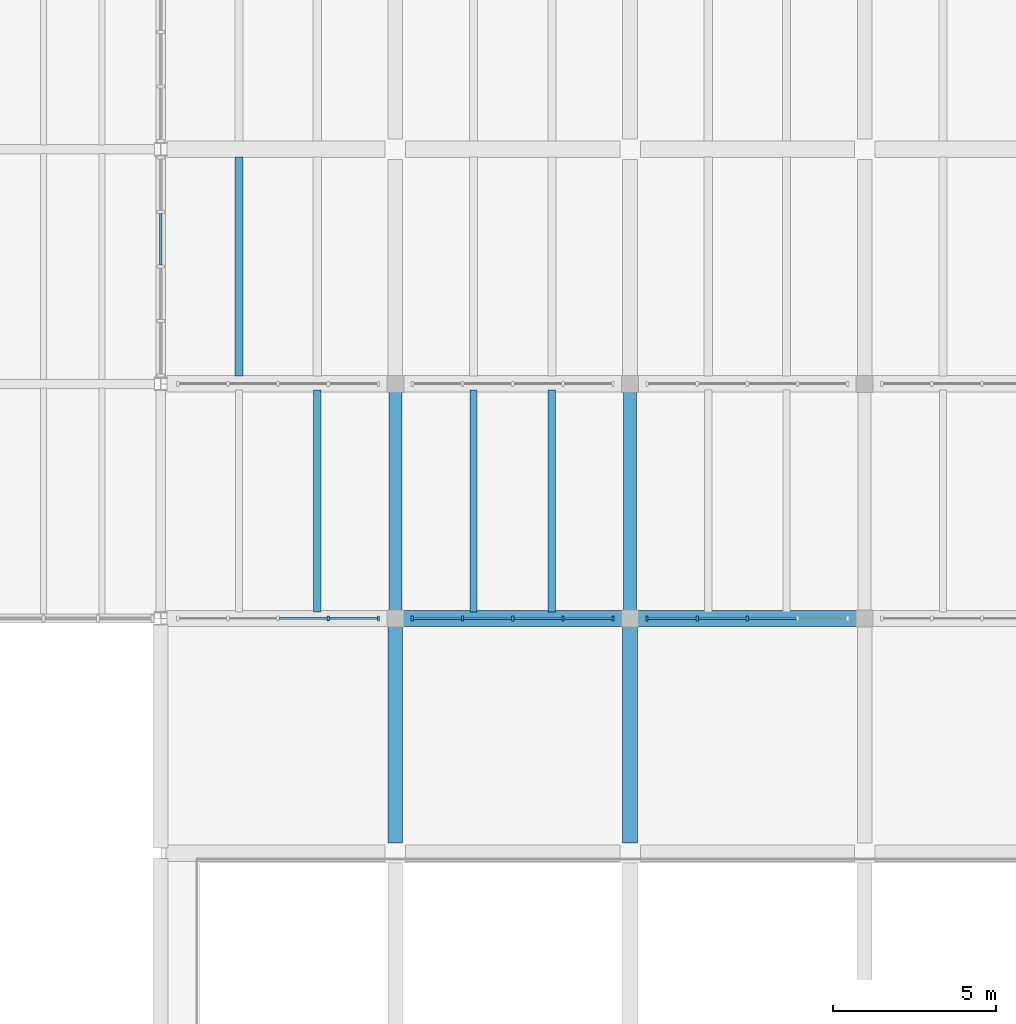
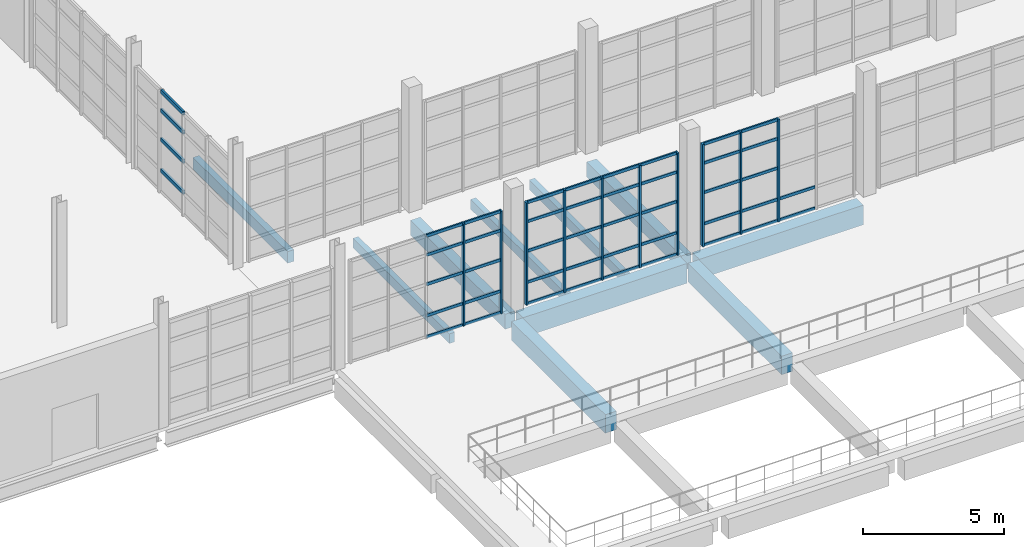
# One storey, part 28 of 79: 56 members, 10 beams, 4 elements without a shape of their own.
"""IFC4 building model written with IfcOpenShell, lengths in metres."""

from ifc_helpers import new_model, si_unit, direction, frame, origin, origin_2d, place, context, subcontext, project, spatial, rectangle, extrude, material, material_profile, profile_set, type_object, element, aggregate, save


model = new_model("IFC4")

# Units and contexts
model_context = context("Model", 3, precision=1e-05, world=origin(), true_north=direction((0.0, 1.0)))
body_context = subcontext(model_context, "Body", "Model", "MODEL_VIEW")
ifc_project = project(units=[si_unit("LENGTHUNIT", "METRE"), si_unit("AREAUNIT", "SQUARE_METRE"), si_unit("VOLUMEUNIT", "CUBIC_METRE"), si_unit("PLANEANGLEUNIT", "RADIAN"), si_unit("MASSUNIT", "GRAM", prefix="KILO")], contexts=[model_context])

# Site, building, storey
site_placement = place(None, origin())
site = spatial("IfcSite", under=ifc_project, at=site_placement, CompositionType="ELEMENT")
building_placement = place(site_placement, origin())
building = spatial("IfcBuilding", under=site, at=building_placement, Name="Qiaolan Assembly House", CompositionType="ELEMENT")
storey_placement = place(building_placement, origin())
storey = spatial("IfcBuildingStorey", under=building, at=storey_placement, Name="L00", CompositionType="ELEMENT", Elevation=0.0)

# Beams
ifc_material_1 = material(Name="Concrete C40/50", Category="concrete")
ifc_material_profile_1 = material_profile(ifc_material_1, rectangle(XDim=0.39990234375, YDim=0.64990234375, at=origin_2d()), Name="RCB 400x650")
ifc_profile_set_1 = profile_set([ifc_material_profile_1], Name="Concrete C40/50")
beam_type_1 = type_object("IfcBeamType", Name="BM-RC-400x650", PredefinedType="BEAM", material=ifc_profile_set_1)
for number, where, z_axis, x_axis, name in (
    (1, (115.199951171875, 36.25, -0.6650390625), (0.0, 1.0, 0.0), (-1.0, 0.0, 0.0), "GB-06 beam BMY-CLS-L00-01-00"),
    (2, (122.39990234375, 36.25, -0.6650390625), (0.0, 1.0, 0.0), (-1.0, 0.0, 0.0), "GB-06 beam BMY-CLS-L00-02-00"),
):
    element("IfcBeam", number, at=place(storey_placement, frame(where, z_axis=z_axis, x_axis=x_axis)), inside=storey, type_object=beam_type_1, Name=name, PredefinedType="BEAM", context=body_context, shape_type="SweptSolid", body=[
        extrude(rectangle(XDim=0.39990234375, YDim=0.64990234375, at=origin_2d()), origin(), (0.0, 0.0, 1.0), 6.699951171875),
    ])
ifc_material_profile_2 = material_profile(ifc_material_1, rectangle(XDim=0.449951171875, YDim=0.800048828125, at=origin_2d()), Name="RCB 450x800")
ifc_profile_set_2 = profile_set([ifc_material_profile_2], Name="Concrete C40/50")
beam_type_2 = type_object("IfcBeamType", Name="BM-RC-450x800", PredefinedType="BEAM", material=ifc_profile_set_2)
for number, where, z_axis, x_axis, name in (
    (3, (115.199951171875, 29.114990234375, -0.739990234375), (0.0, 1.0, 0.0), (-1.0, 0.0, 0.0), "GB-03 beam BMY-APR0-L00-01-01"),
    (4, (122.39990234375, 29.114990234375, -0.739990234375), (0.0, 1.0, 0.0), (-1.0, 0.0, 0.0), "GB-03 beam BMY-APR0-L00-02-01"),
):
    element("IfcBeam", number, at=place(storey_placement, frame(where, z_axis=z_axis, x_axis=x_axis)), inside=storey, type_object=beam_type_2, Name=name, PredefinedType="BEAM", context=body_context, shape_type="SweptSolid", body=[
        extrude(rectangle(XDim=0.449951171875, YDim=0.800048828125, at=origin_2d()), origin(), (0.0, 0.0, 1.0), 6.635009765625),
    ])
ifc_material_2 = material(Name="Concrete C45/55", Category="concrete")
ifc_material_profile_3 = material_profile(ifc_material_2, rectangle(XDim=0.5, YDim=0.85009765625, at=origin_2d()), Name="RCB 500x850")
ifc_profile_set_3 = profile_set([ifc_material_profile_3], Name="Concrete C45/55")
beam_type_3 = type_object("IfcBeamType", Name="BM-RC-500x850", PredefinedType="BEAM", material=ifc_profile_set_3)
beam_1_placement = place(storey_placement, frame((115.449951171875, 36.0, -0.764892578125), z_axis=(1.0, 0.0, 0.0), x_axis=(0.0, 1.0, 0.0)))
element("IfcBeam", 5, at=beam_1_placement, inside=storey, type_object=beam_type_3, Name="GB-02 beam BMX-APR0-L00-01-02", PredefinedType="BEAM", context=body_context, shape_type="SweptSolid", body=[
    extrude(rectangle(XDim=0.5, YDim=0.85009765625, at=origin_2d()), origin(), (0.0, 0.0, 1.0), 6.699951171875),
])
beam_2_placement = place(storey_placement, frame((122.64990234375, 36.0, -0.764892578125), z_axis=(1.0, 0.0, 0.0), x_axis=(0.0, 1.0, 0.0)))
element("IfcBeam", 6, at=beam_2_placement, inside=storey, type_object=beam_type_3, Name="GB-02 beam BMX-APR0-L00-02-02", PredefinedType="BEAM", context=body_context, shape_type="SweptSolid", body=[
    extrude(rectangle(XDim=0.5, YDim=0.85009765625, at=origin_2d()), origin(), (0.0, 0.0, 1.0), 6.7001953125),
])

# Curtain wall, members
ifc_material_3 = material(Name="Anodised bronze aluminium", Category="aluminium")
curtain_wall_type_1 = type_object("IfcCurtainWallType", Name="CW-CLOISTER-420", PredefinedType="NOTDEFINED", material=ifc_material_3)
curtain_wall_1_placement = place(storey_placement, origin())
curtain_wall_1 = element("IfcCurtainWall", 7, at=curtain_wall_1_placement, inside=storey, type_object=curtain_wall_type_1, Name="CW-05 South Cloister outer arcade L00-1", PredefinedType="NOTDEFINED")
ifc_material_profile_4 = material_profile(ifc_material_3, rectangle(XDim=0.070068359375, YDim=0.155029296875, at=origin_2d()), Name="MUL 70x155")
ifc_profile_set_4 = profile_set([ifc_material_profile_4], Name="Anodised bronze aluminium")
member_type_1 = type_object("IfcMemberType", Name="CW-CLOISTER-420-MUL", PredefinedType="MULLION", material=ifc_profile_set_4)
member_1_placement = place(storey_placement, frame((113.139892578125, 36.0, 0.0), z_axis=(0.0, 0.0, 1.0), x_axis=(1.0, 0.0, 0.0)))
member_1 = element("IfcMember", 8, at=member_1_placement, type_object=member_type_1, Name="ML-06 mullion CW-CLS-OUT-L00-0-4", PredefinedType="MULLION", context=body_context, shape_type="SweptSolid", body=[
    extrude(rectangle(XDim=0.070068359375, YDim=0.155029296875, at=origin_2d()), origin(), (0.0, 0.0, 1.0), 4.419921875),
])
member_2_placement = place(storey_placement, frame((114.679931640625, 36.0, 0.0), z_axis=(0.0, 0.0, 1.0), x_axis=(1.0, 0.0, 0.0)))
member_2 = element("IfcMember", 9, at=member_2_placement, type_object=member_type_1, Name="ML-06 mullion CW-CLS-OUT-L00-0-5", PredefinedType="MULLION", context=body_context, shape_type="SweptSolid", body=[
    extrude(rectangle(XDim=0.070068359375, YDim=0.155029296875, at=origin_2d()), origin(), (0.0, 0.0, 1.0), 4.419921875),
])

curtain_wall_2_placement = place(storey_placement, origin())
curtain_wall_2 = element("IfcCurtainWall", 10, at=curtain_wall_2_placement, inside=storey, type_object=curtain_wall_type_1, Name="CW-05 South Cloister outer arcade L00-2", PredefinedType="NOTDEFINED")
member_3_placement = place(storey_placement, frame((115.719970703125, 36.0, 0.0), z_axis=(0.0, 0.0, 1.0), x_axis=(1.0, 0.0, 0.0)))
member_3 = element("IfcMember", 11, at=member_3_placement, type_object=member_type_1, Name="ML-06 mullion CW-CLS-OUT-L00-1-1", PredefinedType="MULLION", context=body_context, shape_type="SweptSolid", body=[
    extrude(rectangle(XDim=0.070068359375, YDim=0.155029296875, at=origin_2d()), origin(), (0.0, 0.0, 1.0), 4.419921875),
])
member_4_placement = place(storey_placement, frame((117.260009765625, 36.0, 0.0), z_axis=(0.0, 0.0, 1.0), x_axis=(1.0, 0.0, 0.0)))
member_4 = element("IfcMember", 12, at=member_4_placement, type_object=member_type_1, Name="ML-06 mullion CW-CLS-OUT-L00-1-2", PredefinedType="MULLION", context=body_context, shape_type="SweptSolid", body=[
    extrude(rectangle(XDim=0.070068359375, YDim=0.155029296875, at=origin_2d()), origin(), (0.0, 0.0, 1.0), 4.419921875),
])
member_5_placement = place(storey_placement, frame((118.800048828125, 36.0, 0.0), z_axis=(0.0, 0.0, 1.0), x_axis=(1.0, 0.0, 0.0)))
member_5 = element("IfcMember", 13, at=member_5_placement, type_object=member_type_1, Name="ML-06 mullion CW-CLS-OUT-L00-1-3", PredefinedType="MULLION", context=body_context, shape_type="SweptSolid", body=[
    extrude(rectangle(XDim=0.070068359375, YDim=0.155029296875, at=origin_2d()), origin(), (0.0, 0.0, 1.0), 4.419921875),
])
member_6_placement = place(storey_placement, frame((120.340087890625, 36.0, 0.0), z_axis=(0.0, 0.0, 1.0), x_axis=(1.0, 0.0, 0.0)))
member_6 = element("IfcMember", 14, at=member_6_placement, type_object=member_type_1, Name="ML-06 mullion CW-CLS-OUT-L00-1-4", PredefinedType="MULLION", context=body_context, shape_type="SweptSolid", body=[
    extrude(rectangle(XDim=0.070068359375, YDim=0.155029296875, at=origin_2d()), origin(), (0.0, 0.0, 1.0), 4.419921875),
])
member_7_placement = place(storey_placement, frame((121.8798828125, 36.0, 0.0), z_axis=(0.0, 0.0, 1.0), x_axis=(1.0, 0.0, 0.0)))
member_7 = element("IfcMember", 15, at=member_7_placement, type_object=member_type_1, Name="ML-06 mullion CW-CLS-OUT-L00-1-5", PredefinedType="MULLION", context=body_context, shape_type="SweptSolid", body=[
    extrude(rectangle(XDim=0.070068359375, YDim=0.155029296875, at=origin_2d()), origin(), (0.0, 0.0, 1.0), 4.419921875),
])

curtain_wall_3_placement = place(storey_placement, origin())
curtain_wall_3 = element("IfcCurtainWall", 16, at=curtain_wall_3_placement, inside=storey, type_object=curtain_wall_type_1, Name="CW-05 South Cloister outer arcade L00-3", PredefinedType="NOTDEFINED")
member_8_placement = place(storey_placement, frame((122.919921875, 36.0, 0.0), z_axis=(0.0, 0.0, 1.0), x_axis=(1.0, 0.0, 0.0)))
member_8 = element("IfcMember", 17, at=member_8_placement, type_object=member_type_1, Name="ML-06 mullion CW-CLS-OUT-L00-2-1", PredefinedType="MULLION", context=body_context, shape_type="SweptSolid", body=[
    extrude(rectangle(XDim=0.070068359375, YDim=0.155029296875, at=origin_2d()), origin(), (0.0, 0.0, 1.0), 4.419921875),
])
member_9_placement = place(storey_placement, frame((124.4599609375, 36.0, 0.0), z_axis=(0.0, 0.0, 1.0), x_axis=(1.0, 0.0, 0.0)))
member_9 = element("IfcMember", 18, at=member_9_placement, type_object=member_type_1, Name="ML-06 mullion CW-CLS-OUT-L00-2-2", PredefinedType="MULLION", context=body_context, shape_type="SweptSolid", body=[
    extrude(rectangle(XDim=0.070068359375, YDim=0.155029296875, at=origin_2d()), origin(), (0.0, 0.0, 1.0), 4.419921875),
])
member_10_placement = place(storey_placement, frame((126.0, 36.0, 0.0), z_axis=(0.0, 0.0, 1.0), x_axis=(1.0, 0.0, 0.0)))
member_10 = element("IfcMember", 19, at=member_10_placement, type_object=member_type_1, Name="ML-06 mullion CW-CLS-OUT-L00-2-3", PredefinedType="MULLION", context=body_context, shape_type="SweptSolid", body=[
    extrude(rectangle(XDim=0.070068359375, YDim=0.155029296875, at=origin_2d()), origin(), (0.0, 0.0, 1.0), 4.419921875),
])

# Member
ifc_material_profile_5 = material_profile(ifc_material_3, rectangle(XDim=0.06201171875, YDim=0.125, at=origin_2d()), Name="TRN 62x125")
ifc_profile_set_5 = profile_set([ifc_material_profile_5], Name="Anodised bronze aluminium")
member_type_2 = type_object("IfcMemberType", Name="CW-CLOISTER-420-TRN", PredefinedType="USERDEFINED", material=ifc_profile_set_5)
member_11_placement = place(storey_placement, frame((111.635009765625, 36.0, 0.030029296875), z_axis=(1.0, 0.0, 0.0), x_axis=(0.0, 1.0, 0.0)))
member_11 = element("IfcMember", 20, at=member_11_placement, type_object=member_type_2, Name="TR-06 transom CW-CLS-OUT-L00-0-3-1", ObjectType="TRANSOM", PredefinedType="USERDEFINED", context=body_context, shape_type="SweptSolid", body=[
    extrude(rectangle(XDim=0.06201171875, YDim=0.125, at=origin_2d()), origin(), (0.0, 0.0, 1.0), 1.469970703125),
])

member_12_placement = place(storey_placement, frame((111.635009765625, 36.0, 0.949951171875), z_axis=(1.0, 0.0, 0.0), x_axis=(0.0, 1.0, 0.0)))
member_12 = element("IfcMember", 21, at=member_12_placement, type_object=member_type_2, Name="TR-06 transom CW-CLS-OUT-L00-0-3-2", ObjectType="TRANSOM", PredefinedType="USERDEFINED", context=body_context, shape_type="SweptSolid", body=[
    extrude(rectangle(XDim=0.06201171875, YDim=0.125, at=origin_2d()), origin(), (0.0, 0.0, 1.0), 1.469970703125),
])

member_13_placement = place(storey_placement, frame((111.635009765625, 36.0, 2.29833984375), z_axis=(1.0, 0.0, 0.0), x_axis=(0.0, 1.0, 0.0)))
member_13 = element("IfcMember", 22, at=member_13_placement, type_object=member_type_2, Name="TR-06 transom CW-CLS-OUT-L00-0-3-3", ObjectType="TRANSOM", PredefinedType="USERDEFINED", context=body_context, shape_type="SweptSolid", body=[
    extrude(rectangle(XDim=0.06201171875, YDim=0.125, at=origin_2d()), origin(), (0.0, 0.0, 1.0), 1.469970703125),
])

member_14_placement = place(storey_placement, frame((111.635009765625, 36.0, 3.570068359375), z_axis=(1.0, 0.0, 0.0), x_axis=(0.0, 1.0, 0.0)))
member_14 = element("IfcMember", 23, at=member_14_placement, type_object=member_type_2, Name="TR-06 transom CW-CLS-OUT-L00-0-3-4", ObjectType="TRANSOM", PredefinedType="USERDEFINED", context=body_context, shape_type="SweptSolid", body=[
    extrude(rectangle(XDim=0.06201171875, YDim=0.125, at=origin_2d()), origin(), (0.0, 0.0, 1.0), 1.469970703125),
])

member_15_placement = place(storey_placement, frame((111.635009765625, 36.0, 4.389892578125), z_axis=(1.0, 0.0, 0.0), x_axis=(0.0, 1.0, 0.0)))
member_15 = element("IfcMember", 24, at=member_15_placement, type_object=member_type_2, Name="TR-06 transom CW-CLS-OUT-L00-0-3-5", ObjectType="TRANSOM", PredefinedType="USERDEFINED", context=body_context, shape_type="SweptSolid", body=[
    extrude(rectangle(XDim=0.06201171875, YDim=0.125, at=origin_2d()), origin(), (0.0, 0.0, 1.0), 1.469970703125),
])

member_16_placement = place(storey_placement, frame((113.175048828125, 36.0, 0.030029296875), z_axis=(1.0, 0.0, 0.0), x_axis=(0.0, 1.0, 0.0)))
member_16 = element("IfcMember", 25, at=member_16_placement, type_object=member_type_2, Name="TR-06 transom CW-CLS-OUT-L00-0-4-1", ObjectType="TRANSOM", PredefinedType="USERDEFINED", context=body_context, shape_type="SweptSolid", body=[
    extrude(rectangle(XDim=0.06201171875, YDim=0.125, at=origin_2d()), origin(), (0.0, 0.0, 1.0), 1.469970703125),
])

member_17_placement = place(storey_placement, frame((113.175048828125, 36.0, 0.949951171875), z_axis=(1.0, 0.0, 0.0), x_axis=(0.0, 1.0, 0.0)))
member_17 = element("IfcMember", 26, at=member_17_placement, type_object=member_type_2, Name="TR-06 transom CW-CLS-OUT-L00-0-4-2", ObjectType="TRANSOM", PredefinedType="USERDEFINED", context=body_context, shape_type="SweptSolid", body=[
    extrude(rectangle(XDim=0.06201171875, YDim=0.125, at=origin_2d()), origin(), (0.0, 0.0, 1.0), 1.469970703125),
])

member_18_placement = place(storey_placement, frame((113.175048828125, 36.0, 2.29833984375), z_axis=(1.0, 0.0, 0.0), x_axis=(0.0, 1.0, 0.0)))
member_18 = element("IfcMember", 27, at=member_18_placement, type_object=member_type_2, Name="TR-06 transom CW-CLS-OUT-L00-0-4-3", ObjectType="TRANSOM", PredefinedType="USERDEFINED", context=body_context, shape_type="SweptSolid", body=[
    extrude(rectangle(XDim=0.06201171875, YDim=0.125, at=origin_2d()), origin(), (0.0, 0.0, 1.0), 1.469970703125),
])

member_19_placement = place(storey_placement, frame((113.175048828125, 36.0, 3.570068359375), z_axis=(1.0, 0.0, 0.0), x_axis=(0.0, 1.0, 0.0)))
member_19 = element("IfcMember", 28, at=member_19_placement, type_object=member_type_2, Name="TR-06 transom CW-CLS-OUT-L00-0-4-4", ObjectType="TRANSOM", PredefinedType="USERDEFINED", context=body_context, shape_type="SweptSolid", body=[
    extrude(rectangle(XDim=0.06201171875, YDim=0.125, at=origin_2d()), origin(), (0.0, 0.0, 1.0), 1.469970703125),
])

member_20_placement = place(storey_placement, frame((113.175048828125, 36.0, 4.389892578125), z_axis=(1.0, 0.0, 0.0), x_axis=(0.0, 1.0, 0.0)))
member_20 = element("IfcMember", 29, at=member_20_placement, type_object=member_type_2, Name="TR-06 transom CW-CLS-OUT-L00-0-4-5", ObjectType="TRANSOM", PredefinedType="USERDEFINED", context=body_context, shape_type="SweptSolid", body=[
    extrude(rectangle(XDim=0.06201171875, YDim=0.125, at=origin_2d()), origin(), (0.0, 0.0, 1.0), 1.469970703125),
])

aggregate(curtain_wall_1, [member_1, member_2, member_11, member_12, member_13, member_14, member_15, member_16, member_17, member_18, member_19, member_20])

member_21_placement = place(storey_placement, frame((115.7548828125, 36.0, 0.030029296875), z_axis=(1.0, 0.0, 0.0), x_axis=(0.0, 1.0, 0.0)))
member_21 = element("IfcMember", 30, at=member_21_placement, type_object=member_type_2, Name="TR-06 transom CW-CLS-OUT-L00-1-1-1", ObjectType="TRANSOM", PredefinedType="USERDEFINED", context=body_context, shape_type="SweptSolid", body=[
    extrude(rectangle(XDim=0.06201171875, YDim=0.125, at=origin_2d()), origin(), (0.0, 0.0, 1.0), 1.47021484375),
])

member_22_placement = place(storey_placement, frame((115.7548828125, 36.0, 0.949951171875), z_axis=(1.0, 0.0, 0.0), x_axis=(0.0, 1.0, 0.0)))
member_22 = element("IfcMember", 31, at=member_22_placement, type_object=member_type_2, Name="TR-06 transom CW-CLS-OUT-L00-1-1-2", ObjectType="TRANSOM", PredefinedType="USERDEFINED", context=body_context, shape_type="SweptSolid", body=[
    extrude(rectangle(XDim=0.06201171875, YDim=0.125, at=origin_2d()), origin(), (0.0, 0.0, 1.0), 1.47021484375),
])

member_23_placement = place(storey_placement, frame((115.7548828125, 36.0, 2.29833984375), z_axis=(1.0, 0.0, 0.0), x_axis=(0.0, 1.0, 0.0)))
member_23 = element("IfcMember", 32, at=member_23_placement, type_object=member_type_2, Name="TR-06 transom CW-CLS-OUT-L00-1-1-3", ObjectType="TRANSOM", PredefinedType="USERDEFINED", context=body_context, shape_type="SweptSolid", body=[
    extrude(rectangle(XDim=0.06201171875, YDim=0.125, at=origin_2d()), origin(), (0.0, 0.0, 1.0), 1.47021484375),
])

member_24_placement = place(storey_placement, frame((115.7548828125, 36.0, 3.570068359375), z_axis=(1.0, 0.0, 0.0), x_axis=(0.0, 1.0, 0.0)))
member_24 = element("IfcMember", 33, at=member_24_placement, type_object=member_type_2, Name="TR-06 transom CW-CLS-OUT-L00-1-1-4", ObjectType="TRANSOM", PredefinedType="USERDEFINED", context=body_context, shape_type="SweptSolid", body=[
    extrude(rectangle(XDim=0.06201171875, YDim=0.125, at=origin_2d()), origin(), (0.0, 0.0, 1.0), 1.47021484375),
])

member_25_placement = place(storey_placement, frame((115.7548828125, 36.0, 4.389892578125), z_axis=(1.0, 0.0, 0.0), x_axis=(0.0, 1.0, 0.0)))
member_25 = element("IfcMember", 34, at=member_25_placement, type_object=member_type_2, Name="TR-06 transom CW-CLS-OUT-L00-1-1-5", ObjectType="TRANSOM", PredefinedType="USERDEFINED", context=body_context, shape_type="SweptSolid", body=[
    extrude(rectangle(XDim=0.06201171875, YDim=0.125, at=origin_2d()), origin(), (0.0, 0.0, 1.0), 1.47021484375),
])

member_26_placement = place(storey_placement, frame((117.294921875, 36.0, 0.030029296875), z_axis=(1.0, 0.0, 0.0), x_axis=(0.0, 1.0, 0.0)))
member_26 = element("IfcMember", 35, at=member_26_placement, type_object=member_type_2, Name="TR-06 transom CW-CLS-OUT-L00-1-2-1", ObjectType="TRANSOM", PredefinedType="USERDEFINED", context=body_context, shape_type="SweptSolid", body=[
    extrude(rectangle(XDim=0.06201171875, YDim=0.125, at=origin_2d()), origin(), (0.0, 0.0, 1.0), 1.469970703125),
])

member_27_placement = place(storey_placement, frame((117.294921875, 36.0, 0.949951171875), z_axis=(1.0, 0.0, 0.0), x_axis=(0.0, 1.0, 0.0)))
member_27 = element("IfcMember", 36, at=member_27_placement, type_object=member_type_2, Name="TR-06 transom CW-CLS-OUT-L00-1-2-2", ObjectType="TRANSOM", PredefinedType="USERDEFINED", context=body_context, shape_type="SweptSolid", body=[
    extrude(rectangle(XDim=0.06201171875, YDim=0.125, at=origin_2d()), origin(), (0.0, 0.0, 1.0), 1.469970703125),
])

member_28_placement = place(storey_placement, frame((117.294921875, 36.0, 2.29833984375), z_axis=(1.0, 0.0, 0.0), x_axis=(0.0, 1.0, 0.0)))
member_28 = element("IfcMember", 37, at=member_28_placement, type_object=member_type_2, Name="TR-06 transom CW-CLS-OUT-L00-1-2-3", ObjectType="TRANSOM", PredefinedType="USERDEFINED", context=body_context, shape_type="SweptSolid", body=[
    extrude(rectangle(XDim=0.06201171875, YDim=0.125, at=origin_2d()), origin(), (0.0, 0.0, 1.0), 1.469970703125),
])

member_29_placement = place(storey_placement, frame((117.294921875, 36.0, 3.570068359375), z_axis=(1.0, 0.0, 0.0), x_axis=(0.0, 1.0, 0.0)))
member_29 = element("IfcMember", 38, at=member_29_placement, type_object=member_type_2, Name="TR-06 transom CW-CLS-OUT-L00-1-2-4", ObjectType="TRANSOM", PredefinedType="USERDEFINED", context=body_context, shape_type="SweptSolid", body=[
    extrude(rectangle(XDim=0.06201171875, YDim=0.125, at=origin_2d()), origin(), (0.0, 0.0, 1.0), 1.469970703125),
])

member_30_placement = place(storey_placement, frame((117.294921875, 36.0, 4.389892578125), z_axis=(1.0, 0.0, 0.0), x_axis=(0.0, 1.0, 0.0)))
member_30 = element("IfcMember", 39, at=member_30_placement, type_object=member_type_2, Name="TR-06 transom CW-CLS-OUT-L00-1-2-5", ObjectType="TRANSOM", PredefinedType="USERDEFINED", context=body_context, shape_type="SweptSolid", body=[
    extrude(rectangle(XDim=0.06201171875, YDim=0.125, at=origin_2d()), origin(), (0.0, 0.0, 1.0), 1.469970703125),
])

member_31_placement = place(storey_placement, frame((118.8349609375, 36.0, 0.030029296875), z_axis=(1.0, 0.0, 0.0), x_axis=(0.0, 1.0, 0.0)))
member_31 = element("IfcMember", 40, at=member_31_placement, type_object=member_type_2, Name="TR-06 transom CW-CLS-OUT-L00-1-3-1", ObjectType="TRANSOM", PredefinedType="USERDEFINED", context=body_context, shape_type="SweptSolid", body=[
    extrude(rectangle(XDim=0.06201171875, YDim=0.125, at=origin_2d()), origin(), (0.0, 0.0, 1.0), 1.469970703125),
])

member_32_placement = place(storey_placement, frame((118.8349609375, 36.0, 0.949951171875), z_axis=(1.0, 0.0, 0.0), x_axis=(0.0, 1.0, 0.0)))
member_32 = element("IfcMember", 41, at=member_32_placement, type_object=member_type_2, Name="TR-06 transom CW-CLS-OUT-L00-1-3-2", ObjectType="TRANSOM", PredefinedType="USERDEFINED", context=body_context, shape_type="SweptSolid", body=[
    extrude(rectangle(XDim=0.06201171875, YDim=0.125, at=origin_2d()), origin(), (0.0, 0.0, 1.0), 1.469970703125),
])

member_33_placement = place(storey_placement, frame((118.8349609375, 36.0, 2.29833984375), z_axis=(1.0, 0.0, 0.0), x_axis=(0.0, 1.0, 0.0)))
member_33 = element("IfcMember", 42, at=member_33_placement, type_object=member_type_2, Name="TR-06 transom CW-CLS-OUT-L00-1-3-3", ObjectType="TRANSOM", PredefinedType="USERDEFINED", context=body_context, shape_type="SweptSolid", body=[
    extrude(rectangle(XDim=0.06201171875, YDim=0.125, at=origin_2d()), origin(), (0.0, 0.0, 1.0), 1.469970703125),
])

member_34_placement = place(storey_placement, frame((118.8349609375, 36.0, 3.570068359375), z_axis=(1.0, 0.0, 0.0), x_axis=(0.0, 1.0, 0.0)))
member_34 = element("IfcMember", 43, at=member_34_placement, type_object=member_type_2, Name="TR-06 transom CW-CLS-OUT-L00-1-3-4", ObjectType="TRANSOM", PredefinedType="USERDEFINED", context=body_context, shape_type="SweptSolid", body=[
    extrude(rectangle(XDim=0.06201171875, YDim=0.125, at=origin_2d()), origin(), (0.0, 0.0, 1.0), 1.469970703125),
])

member_35_placement = place(storey_placement, frame((118.8349609375, 36.0, 4.389892578125), z_axis=(1.0, 0.0, 0.0), x_axis=(0.0, 1.0, 0.0)))
member_35 = element("IfcMember", 44, at=member_35_placement, type_object=member_type_2, Name="TR-06 transom CW-CLS-OUT-L00-1-3-5", ObjectType="TRANSOM", PredefinedType="USERDEFINED", context=body_context, shape_type="SweptSolid", body=[
    extrude(rectangle(XDim=0.06201171875, YDim=0.125, at=origin_2d()), origin(), (0.0, 0.0, 1.0), 1.469970703125),
])

member_36_placement = place(storey_placement, frame((120.375, 36.0, 0.030029296875), z_axis=(1.0, 0.0, 0.0), x_axis=(0.0, 1.0, 0.0)))
member_36 = element("IfcMember", 45, at=member_36_placement, type_object=member_type_2, Name="TR-06 transom CW-CLS-OUT-L00-1-4-1", ObjectType="TRANSOM", PredefinedType="USERDEFINED", context=body_context, shape_type="SweptSolid", body=[
    extrude(rectangle(XDim=0.06201171875, YDim=0.125, at=origin_2d()), origin(), (0.0, 0.0, 1.0), 1.469970703125),
])

member_37_placement = place(storey_placement, frame((120.375, 36.0, 0.949951171875), z_axis=(1.0, 0.0, 0.0), x_axis=(0.0, 1.0, 0.0)))
member_37 = element("IfcMember", 46, at=member_37_placement, type_object=member_type_2, Name="TR-06 transom CW-CLS-OUT-L00-1-4-2", ObjectType="TRANSOM", PredefinedType="USERDEFINED", context=body_context, shape_type="SweptSolid", body=[
    extrude(rectangle(XDim=0.06201171875, YDim=0.125, at=origin_2d()), origin(), (0.0, 0.0, 1.0), 1.469970703125),
])

member_38_placement = place(storey_placement, frame((120.375, 36.0, 2.29833984375), z_axis=(1.0, 0.0, 0.0), x_axis=(0.0, 1.0, 0.0)))
member_38 = element("IfcMember", 47, at=member_38_placement, type_object=member_type_2, Name="TR-06 transom CW-CLS-OUT-L00-1-4-3", ObjectType="TRANSOM", PredefinedType="USERDEFINED", context=body_context, shape_type="SweptSolid", body=[
    extrude(rectangle(XDim=0.06201171875, YDim=0.125, at=origin_2d()), origin(), (0.0, 0.0, 1.0), 1.469970703125),
])

member_39_placement = place(storey_placement, frame((120.375, 36.0, 3.570068359375), z_axis=(1.0, 0.0, 0.0), x_axis=(0.0, 1.0, 0.0)))
member_39 = element("IfcMember", 48, at=member_39_placement, type_object=member_type_2, Name="TR-06 transom CW-CLS-OUT-L00-1-4-4", ObjectType="TRANSOM", PredefinedType="USERDEFINED", context=body_context, shape_type="SweptSolid", body=[
    extrude(rectangle(XDim=0.06201171875, YDim=0.125, at=origin_2d()), origin(), (0.0, 0.0, 1.0), 1.469970703125),
])

member_40_placement = place(storey_placement, frame((120.375, 36.0, 4.389892578125), z_axis=(1.0, 0.0, 0.0), x_axis=(0.0, 1.0, 0.0)))
member_40 = element("IfcMember", 49, at=member_40_placement, type_object=member_type_2, Name="TR-06 transom CW-CLS-OUT-L00-1-4-5", ObjectType="TRANSOM", PredefinedType="USERDEFINED", context=body_context, shape_type="SweptSolid", body=[
    extrude(rectangle(XDim=0.06201171875, YDim=0.125, at=origin_2d()), origin(), (0.0, 0.0, 1.0), 1.469970703125),
])

aggregate(curtain_wall_2, [member_3, member_4, member_5, member_6, member_7, member_21, member_22, member_23, member_24, member_25, member_26, member_27, member_28, member_29, member_30, member_31, member_32, member_33, member_34, member_35, member_36, member_37, member_38, member_39, member_40])

member_41_placement = place(storey_placement, frame((122.955078125, 36.0, 0.030029296875), z_axis=(1.0, 0.0, 0.0), x_axis=(0.0, 1.0, 0.0)))
member_41 = element("IfcMember", 50, at=member_41_placement, type_object=member_type_2, Name="TR-06 transom CW-CLS-OUT-L00-2-1-1", ObjectType="TRANSOM", PredefinedType="USERDEFINED", context=body_context, shape_type="SweptSolid", body=[
    extrude(rectangle(XDim=0.06201171875, YDim=0.125, at=origin_2d()), origin(), (0.0, 0.0, 1.0), 1.469970703125),
])

member_42_placement = place(storey_placement, frame((122.955078125, 36.0, 0.949951171875), z_axis=(1.0, 0.0, 0.0), x_axis=(0.0, 1.0, 0.0)))
member_42 = element("IfcMember", 51, at=member_42_placement, type_object=member_type_2, Name="TR-06 transom CW-CLS-OUT-L00-2-1-2", ObjectType="TRANSOM", PredefinedType="USERDEFINED", context=body_context, shape_type="SweptSolid", body=[
    extrude(rectangle(XDim=0.06201171875, YDim=0.125, at=origin_2d()), origin(), (0.0, 0.0, 1.0), 1.469970703125),
])

member_43_placement = place(storey_placement, frame((122.955078125, 36.0, 2.29833984375), z_axis=(1.0, 0.0, 0.0), x_axis=(0.0, 1.0, 0.0)))
member_43 = element("IfcMember", 52, at=member_43_placement, type_object=member_type_2, Name="TR-06 transom CW-CLS-OUT-L00-2-1-3", ObjectType="TRANSOM", PredefinedType="USERDEFINED", context=body_context, shape_type="SweptSolid", body=[
    extrude(rectangle(XDim=0.06201171875, YDim=0.125, at=origin_2d()), origin(), (0.0, 0.0, 1.0), 1.469970703125),
])

member_44_placement = place(storey_placement, frame((122.955078125, 36.0, 3.570068359375), z_axis=(1.0, 0.0, 0.0), x_axis=(0.0, 1.0, 0.0)))
member_44 = element("IfcMember", 53, at=member_44_placement, type_object=member_type_2, Name="TR-06 transom CW-CLS-OUT-L00-2-1-4", ObjectType="TRANSOM", PredefinedType="USERDEFINED", context=body_context, shape_type="SweptSolid", body=[
    extrude(rectangle(XDim=0.06201171875, YDim=0.125, at=origin_2d()), origin(), (0.0, 0.0, 1.0), 1.469970703125),
])

member_45_placement = place(storey_placement, frame((122.955078125, 36.0, 4.389892578125), z_axis=(1.0, 0.0, 0.0), x_axis=(0.0, 1.0, 0.0)))
member_45 = element("IfcMember", 54, at=member_45_placement, type_object=member_type_2, Name="TR-06 transom CW-CLS-OUT-L00-2-1-5", ObjectType="TRANSOM", PredefinedType="USERDEFINED", context=body_context, shape_type="SweptSolid", body=[
    extrude(rectangle(XDim=0.06201171875, YDim=0.125, at=origin_2d()), origin(), (0.0, 0.0, 1.0), 1.469970703125),
])

member_46_placement = place(storey_placement, frame((124.4951171875, 36.0, 0.030029296875), z_axis=(1.0, 0.0, 0.0), x_axis=(0.0, 1.0, 0.0)))
member_46 = element("IfcMember", 55, at=member_46_placement, type_object=member_type_2, Name="TR-06 transom CW-CLS-OUT-L00-2-2-1", ObjectType="TRANSOM", PredefinedType="USERDEFINED", context=body_context, shape_type="SweptSolid", body=[
    extrude(rectangle(XDim=0.06201171875, YDim=0.125, at=origin_2d()), origin(), (0.0, 0.0, 1.0), 1.469970703125),
])

member_47_placement = place(storey_placement, frame((124.4951171875, 36.0, 0.949951171875), z_axis=(1.0, 0.0, 0.0), x_axis=(0.0, 1.0, 0.0)))
member_47 = element("IfcMember", 56, at=member_47_placement, type_object=member_type_2, Name="TR-06 transom CW-CLS-OUT-L00-2-2-2", ObjectType="TRANSOM", PredefinedType="USERDEFINED", context=body_context, shape_type="SweptSolid", body=[
    extrude(rectangle(XDim=0.06201171875, YDim=0.125, at=origin_2d()), origin(), (0.0, 0.0, 1.0), 1.469970703125),
])

member_48_placement = place(storey_placement, frame((124.4951171875, 36.0, 2.29833984375), z_axis=(1.0, 0.0, 0.0), x_axis=(0.0, 1.0, 0.0)))
member_48 = element("IfcMember", 57, at=member_48_placement, type_object=member_type_2, Name="TR-06 transom CW-CLS-OUT-L00-2-2-3", ObjectType="TRANSOM", PredefinedType="USERDEFINED", context=body_context, shape_type="SweptSolid", body=[
    extrude(rectangle(XDim=0.06201171875, YDim=0.125, at=origin_2d()), origin(), (0.0, 0.0, 1.0), 1.469970703125),
])

member_49_placement = place(storey_placement, frame((124.4951171875, 36.0, 3.570068359375), z_axis=(1.0, 0.0, 0.0), x_axis=(0.0, 1.0, 0.0)))
member_49 = element("IfcMember", 58, at=member_49_placement, type_object=member_type_2, Name="TR-06 transom CW-CLS-OUT-L00-2-2-4", ObjectType="TRANSOM", PredefinedType="USERDEFINED", context=body_context, shape_type="SweptSolid", body=[
    extrude(rectangle(XDim=0.06201171875, YDim=0.125, at=origin_2d()), origin(), (0.0, 0.0, 1.0), 1.469970703125),
])

member_50_placement = place(storey_placement, frame((124.4951171875, 36.0, 4.389892578125), z_axis=(1.0, 0.0, 0.0), x_axis=(0.0, 1.0, 0.0)))
member_50 = element("IfcMember", 59, at=member_50_placement, type_object=member_type_2, Name="TR-06 transom CW-CLS-OUT-L00-2-2-5", ObjectType="TRANSOM", PredefinedType="USERDEFINED", context=body_context, shape_type="SweptSolid", body=[
    extrude(rectangle(XDim=0.06201171875, YDim=0.125, at=origin_2d()), origin(), (0.0, 0.0, 1.0), 1.469970703125),
])

member_51_placement = place(storey_placement, frame((126.034912109375, 36.0, 0.030029296875), z_axis=(1.0, 0.0, 0.0), x_axis=(0.0, 1.0, 0.0)))
member_51 = element("IfcMember", 60, at=member_51_placement, type_object=member_type_2, Name="TR-06 transom CW-CLS-OUT-L00-2-3-1", ObjectType="TRANSOM", PredefinedType="USERDEFINED", context=body_context, shape_type="SweptSolid", body=[
    extrude(rectangle(XDim=0.06201171875, YDim=0.125, at=origin_2d()), origin(), (0.0, 0.0, 1.0), 1.469970703125),
])

member_52_placement = place(storey_placement, frame((126.034912109375, 36.0, 0.949951171875), z_axis=(1.0, 0.0, 0.0), x_axis=(0.0, 1.0, 0.0)))
member_52 = element("IfcMember", 61, at=member_52_placement, type_object=member_type_2, Name="TR-06 transom CW-CLS-OUT-L00-2-3-2", ObjectType="TRANSOM", PredefinedType="USERDEFINED", context=body_context, shape_type="SweptSolid", body=[
    extrude(rectangle(XDim=0.06201171875, YDim=0.125, at=origin_2d()), origin(), (0.0, 0.0, 1.0), 1.469970703125),
])

aggregate(curtain_wall_3, [member_8, member_9, member_10, member_41, member_42, member_43, member_44, member_45, member_46, member_47, member_48, member_49, member_50, member_51, member_52])

# Curtain wall, members
curtain_wall_type_2 = type_object("IfcCurtainWallType", Name="CW-HALL-MAIN-540", PredefinedType="NOTDEFINED", material=ifc_material_3)
curtain_wall_4_placement = place(storey_placement, origin())
curtain_wall_4 = element("IfcCurtainWall", 62, at=curtain_wall_4_placement, inside=storey, type_object=curtain_wall_type_2, Name="CW-01 Hall East court curtain wall L00-1", PredefinedType="NOTDEFINED")
ifc_material_profile_6 = material_profile(ifc_material_3, rectangle(XDim=0.08203125, YDim=0.159912109375, at=origin_2d()), Name="TRN 82x160")
ifc_profile_set_6 = profile_set([ifc_material_profile_6], Name="Anodised bronze aluminium")
member_type_3 = type_object("IfcMemberType", Name="CW-HALL-MAIN-540-TRN", PredefinedType="USERDEFINED", material=ifc_profile_set_6)
member_53_placement = place(storey_placement, frame((108.0, 48.428955078125, 0.949951171875), z_axis=(0.0, -1.0, 0.0), x_axis=(1.0, 0.0, 0.0)))
member_53 = element("IfcMember", 63, at=member_53_placement, type_object=member_type_3, Name="TR-01 transom CW-HALL-E-L00-00-2-2", ObjectType="TRANSOM", PredefinedType="USERDEFINED", context=body_context, shape_type="SweptSolid", body=[
    extrude(rectangle(XDim=0.08203125, YDim=0.159912109375, at=origin_2d()), origin(), (0.0, 0.0, 1.0), 1.5830078125),
])
member_54_placement = place(storey_placement, frame((108.0, 48.428955078125, 2.2880859375), z_axis=(0.0, -1.0, 0.0), x_axis=(1.0, 0.0, 0.0)))
member_54 = element("IfcMember", 64, at=member_54_placement, type_object=member_type_3, Name="TR-01 transom CW-HALL-E-L00-00-2-3", ObjectType="TRANSOM", PredefinedType="USERDEFINED", context=body_context, shape_type="SweptSolid", body=[
    extrude(rectangle(XDim=0.08203125, YDim=0.159912109375, at=origin_2d()), origin(), (0.0, 0.0, 1.0), 1.5830078125),
])
member_55_placement = place(storey_placement, frame((108.0, 48.428955078125, 3.550048828125), z_axis=(0.0, -1.0, 0.0), x_axis=(1.0, 0.0, 0.0)))
member_55 = element("IfcMember", 65, at=member_55_placement, type_object=member_type_3, Name="TR-01 transom CW-HALL-E-L00-00-2-4", ObjectType="TRANSOM", PredefinedType="USERDEFINED", context=body_context, shape_type="SweptSolid", body=[
    extrude(rectangle(XDim=0.08203125, YDim=0.159912109375, at=origin_2d()), origin(), (0.0, 0.0, 1.0), 1.5830078125),
])
member_56_placement = place(storey_placement, frame((108.0, 48.428955078125, 4.3701171875), z_axis=(0.0, -1.0, 0.0), x_axis=(1.0, 0.0, 0.0)))
member_56 = element("IfcMember", 66, at=member_56_placement, type_object=member_type_3, Name="TR-01 transom CW-HALL-E-L00-00-2-5", ObjectType="TRANSOM", PredefinedType="USERDEFINED", context=body_context, shape_type="SweptSolid", body=[
    extrude(rectangle(XDim=0.08203125, YDim=0.159912109375, at=origin_2d()), origin(), (0.0, 0.0, 1.0), 1.5830078125),
])
aggregate(curtain_wall_4, [member_53, member_54, member_55, member_56])

# Beams
ifc_material_profile_7 = material_profile(ifc_material_1, rectangle(XDim=0.219970703125, YDim=0.419921875, at=origin_2d()), Name="RCB 220x420")
ifc_profile_set_7 = profile_set([ifc_material_profile_7], Name="Concrete C40/50")
beam_type_4 = type_object("IfcBeamType", Name="JST-RC-220x420", PredefinedType="JOIST", material=ifc_profile_set_7)
for number, where, z_axis, x_axis, name in (
    (67, (112.800048828125, 36.194091796875, -0.550048828125), (0.0, 1.0, 0.0), (-1.0, 0.0, 0.0), "RJ-03 beam JST-CLS-L00-00-00-2"),
    (68, (117.60009765625, 36.194091796875, -0.550048828125), (0.0, 1.0, 0.0), (-1.0, 0.0, 0.0), "RJ-03 beam JST-CLS-L00-01-00-1"),
    (69, (120.0, 36.194091796875, -0.550048828125), (0.0, 1.0, 0.0), (-1.0, 0.0, 0.0), "RJ-03 beam JST-CLS-L00-01-00-2"),
):
    element("IfcBeam", number, at=place(storey_placement, frame(where, z_axis=z_axis, x_axis=x_axis)), inside=storey, type_object=beam_type_4, Name=name, PredefinedType="JOIST", context=body_context, shape_type="SweptSolid", body=[
        extrude(rectangle(XDim=0.219970703125, YDim=0.419921875, at=origin_2d()), origin(), (0.0, 0.0, 1.0), 6.81201171875),
    ])
ifc_material_profile_8 = material_profile(ifc_material_1, rectangle(XDim=0.25, YDim=0.5, at=origin_2d()), Name="RCB 250x500")
ifc_profile_set_8 = profile_set([ifc_material_profile_8], Name="Concrete C40/50")
beam_type_5 = type_object("IfcBeamType", Name="JST-RC-250x500", PredefinedType="JOIST", material=ifc_profile_set_8)
beam_3_placement = place(storey_placement, frame((110.39990234375, 43.444091796875, -0.590087890625), z_axis=(0.0, 1.0, 0.0), x_axis=(-1.0, 0.0, 0.0)))
element("IfcBeam", 70, at=beam_3_placement, inside=storey, type_object=beam_type_5, Name="RJ-01 beam JST-CLCRT-L00-00-00-1", PredefinedType="JOIST", context=body_context, shape_type="SweptSolid", body=[
    extrude(rectangle(XDim=0.25, YDim=0.5, at=origin_2d()), origin(), (0.0, 0.0, 1.0), 6.7119140625),
])

save(model, "model.ifc")
